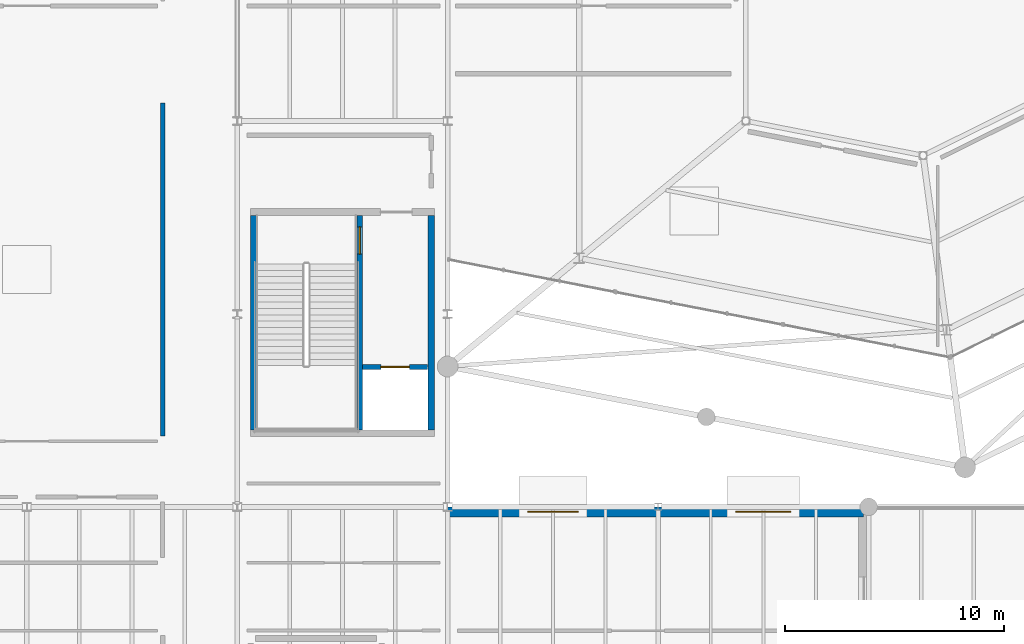
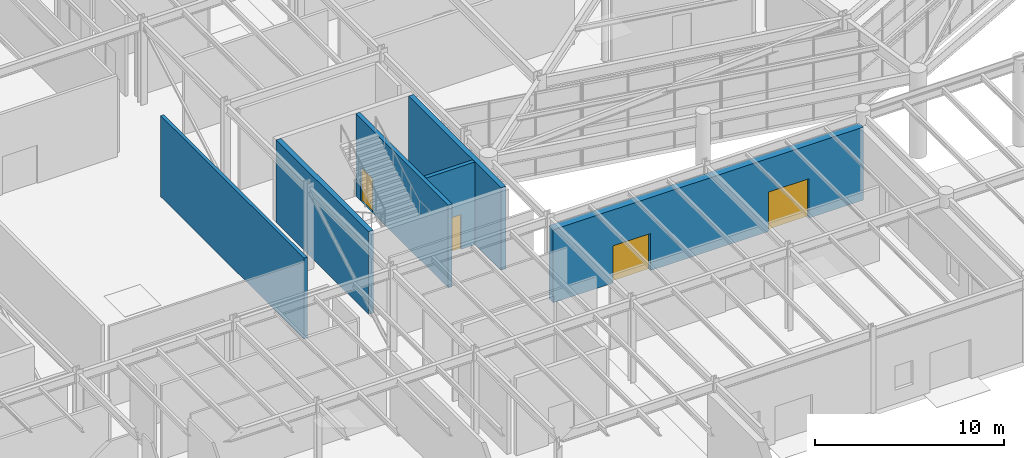
# One storey, part 48 of 70: 6 walls, 4 doors, 4 openings.
"""IFC4 building model written with IfcOpenShell, lengths in metres."""

from ifc_helpers import new_model, si_unit, direction, frame, frame_2d, origin, place, context, subcontext, project, spatial, rectangle, extrude, material, layer, layer_set, type_object, element, fill, save


model = new_model("IFC4")

# Units and contexts
model_context = context("Model", 3, precision=1e-05, world=origin(), true_north=direction((0.0, 1.0)))
body_context = subcontext(model_context, "Body", "Model", "MODEL_VIEW")
ifc_project = project(units=[si_unit("LENGTHUNIT", "METRE"), si_unit("AREAUNIT", "SQUARE_METRE"), si_unit("VOLUMEUNIT", "CUBIC_METRE"), si_unit("PLANEANGLEUNIT", "RADIAN"), si_unit("MASSUNIT", "GRAM", prefix="KILO")], contexts=[model_context])

# Site, building, storey
site_placement = place(None, origin())
site = spatial("IfcSite", under=ifc_project, at=site_placement, CompositionType="ELEMENT")
building_placement = place(site_placement, origin())
building = spatial("IfcBuilding", under=site, at=building_placement, Name="Sarnbrook Museum", CompositionType="ELEMENT")
storey_placement = place(building_placement, origin())
storey = spatial("IfcBuildingStorey", under=building, at=storey_placement, Name="L00", CompositionType="ELEMENT", Elevation=0.0)

# Walls
ifc_material_1 = material(Name="Concrete N50 (AS 3600, f'c = 50 MPa)", Category="concrete")
ifc_layer_1 = layer(ifc_material_1, 0.300048828125)
ifc_layer_set_1 = layer_set([ifc_layer_1], Name="Concrete N50 (AS 3600, f'c = 50 MPa)")
wall_type_1 = type_object("IfcWallType", Name="CoreWall_CWRC", PredefinedType="SHEAR", material=ifc_layer_set_1)
for number, where, z_axis, x_axis, name in (
    (1, (118.449951171875, 60.31005859375, 0.0), (0.0, 0.0, 1.0), (0.0, 1.0, 0.0), "Core C1 Shear Wall E L00"),
    (2, (110.35009765625, 70.090087890625, 0.0), (0.0, 0.0, 1.0), (0.0, -1.0, 0.0), "Core C1 Shear Wall W L00"),
):
    element("IfcWall", number, at=place(storey_placement, frame(where, z_axis=z_axis, x_axis=x_axis)), inside=storey, type_object=wall_type_1, Name=name, PredefinedType="SHEAR", context=body_context, shape_type="SweptSolid", body=[
        extrude(rectangle(XDim=9.780029296875, YDim=0.300048828125, at=frame_2d((4.89013671875, 0.0))), origin(), (0.0, 0.0, 1.0), 5.344970703125),
    ])
ifc_material_2 = material(Name="Fire-Rated Acoustic Gypsum Plasterboard")
ifc_layer_2 = layer(ifc_material_2, 0.195068359375)
ifc_layer_set_2 = layer_set([ifc_layer_2], Name="Fire-Rated Acoustic Gypsum Plasterboard")
wall_type_2 = type_object("IfcWallType", Name="PartWall_P195", PredefinedType="PARTITIONING", material=ifc_layer_set_2)
wall_1_placement = place(storey_placement, frame((106.199951171875, 75.22998046875, 0.0), z_axis=(0.0, 0.0, 1.0), x_axis=(0.0, -1.0, 0.0)))
element("IfcWall", 3, at=wall_1_placement, inside=storey, type_object=wall_type_2, Name="Interior Partition Wall L00-0225", PredefinedType="PARTITIONING", context=body_context, shape_type="SweptSolid", body=[
    extrude(rectangle(XDim=15.199951171875, YDim=0.195068359375, at=frame_2d((7.60009765625, 0.0))), origin(), (0.0, 0.0, 1.0), 5.22998046875),
])

# Wall, opening, door
ifc_material_3 = material(Name="Concrete N40 (AS 3600, f'c = 40 MPa)", Category="concrete")
ifc_layer_3 = layer(ifc_material_3, 0.239990234375)
ifc_layer_set_3 = layer_set([ifc_layer_3], Name="Concrete N40 (AS 3600, f'c = 40 MPa)")
wall_type_3 = type_object("IfcWallType", Name="ShaftWall_SWRC", PredefinedType="SOLIDWALL", material=ifc_layer_set_3)
wall_2_placement = place(storey_placement, frame((115.18994140625, 60.31005859375, 0.0), z_axis=(0.0, 0.0, 1.0), x_axis=(0.0, 1.0, 0.0)))
wall_2 = element("IfcWall", 4, at=wall_2_placement, inside=storey, type_object=wall_type_3, Name="Stairwell ST1 Fire Shaft Wall L00", PredefinedType="SOLIDWALL", context=body_context, shape_type="SweptSolid", body=[
    extrude(rectangle(XDim=9.780029296875, YDim=0.239990234375, at=frame_2d((4.89013671875, 0.0))), origin(), (0.0, 0.0, 1.0), 5.344970703125),
])
opening_1_placement = place(wall_2_placement, frame((8.014892578125, 0.0, 0.0)))
opening_1 = element("IfcOpeningElement", 5, at=opening_1_placement, cuts=wall_2, Name="Opening D-ST-ST1-L00", PredefinedType="OPENING", context=body_context, shape_type="SweptSolid", body=[
    extrude(rectangle(XDim=1.25, YDim=2.199951171875, at=frame_2d((0.625, 1.10009765625))), frame((0.0, 0.1298828125, 0.0), z_axis=(0.0, -1.0, 0.0), x_axis=(1.0, 0.0, 0.0)), (0.0, 0.0, 1.0), 0.260009765625),
])
ifc_material_4 = material(Name="Tasmanian Oak Acoustic Timber", Category="wood")
door_type_1 = type_object("IfcDoorType", Name="FireDoor_FD120", OperationType="NOTDEFINED", PredefinedType="DOOR", material=ifc_material_4)
door_1_placement = place(opening_1_placement, frame((1.25, 0.0, 0.0), z_axis=(0.0, 0.0, 1.0), x_axis=(-1.0, 0.0, 0.0)))
door_1 = element("IfcDoor", 6, at=door_1_placement, inside=storey, type_object=door_type_1, Name="Exit Stair ST1 Fire Door L00", OperationType="SINGLE_SWING_LEFT", OverallHeight=2.199951171875, OverallWidth=1.25, PredefinedType="DOOR", context=body_context, shape_type="SweptSolid", body=[
    extrude(rectangle(XDim=1.25, YDim=2.199951171875, at=frame_2d((0.625, 1.10009765625))), frame((0.0, 0.02490234375, 0.0), z_axis=(0.0, -1.0, 0.0), x_axis=(1.0, 0.0, 0.0)), (0.0, 0.0, 1.0), 0.050048828125),
])
fill(opening_1, door_1)

wall_3_placement = place(storey_placement, frame((115.320068359375, 63.179931640625, 0.0), z_axis=(0.0, 0.0, 1.0), x_axis=(1.0, 0.0, 0.0)))
wall_3 = element("IfcWall", 7, at=wall_3_placement, inside=storey, type_object=wall_type_3, Name="Lift EL1 Shaft Front Wall L00", PredefinedType="SOLIDWALL", context=body_context, shape_type="SweptSolid", body=[
    extrude(rectangle(XDim=2.969970703125, YDim=0.239990234375, at=frame_2d((1.48486328125, 0.0))), origin(), (0.0, 0.0, 1.0), 5.344970703125),
])
opening_2_placement = place(wall_3_placement, frame((0.8349609375, 0.0, 0.0)))
opening_2 = element("IfcOpeningElement", 8, at=opening_2_placement, cuts=wall_3, Name="Opening LD-EL1-L00", PredefinedType="OPENING", context=body_context, shape_type="SweptSolid", body=[
    extrude(rectangle(XDim=1.300048828125, YDim=2.25, at=frame_2d((0.64990234375, 1.125))), frame((0.0, 0.1298828125, 0.0), z_axis=(0.0, -1.0, 0.0), x_axis=(1.0, 0.0, 0.0)), (0.0, 0.0, 1.0), 0.260009765625),
])
ifc_material_5 = material(Name="Brushed Stainless Steel Grade 316", Category="steel")
door_type_2 = type_object("IfcDoorType", Name="LiftDoor_FF130", OperationType="DOUBLE_DOOR_SLIDING", PredefinedType="DOOR", material=ifc_material_5)
door_2_placement = place(opening_2_placement, origin())
door_2 = element("IfcDoor", 9, at=door_2_placement, inside=storey, type_object=door_type_2, Name="Lift Landing Sliding Door LD-EL1-L00", OperationType="DOUBLE_DOOR_SLIDING", OverallHeight=2.25, OverallWidth=1.300048828125, PredefinedType="DOOR", context=body_context, shape_type="SweptSolid", body=[
    extrude(rectangle(XDim=1.300048828125, YDim=2.25, at=frame_2d((0.64990234375, 1.125))), frame((0.0, 0.02490234375, 0.0), z_axis=(0.0, -1.0, 0.0), x_axis=(1.0, 0.0, 0.0)), (0.0, 0.0, 1.0), 0.050048828125),
])
fill(opening_2, door_2)

# Wall, openings, doors
ifc_material_6 = material(Name="Barrabool Sandstone Ashlar Cladding", Category="masonry")
ifc_layer_4 = layer(ifc_material_6, 0.4599609375)
ifc_layer_set_4 = layer_set([ifc_layer_4], Name="Barrabool Sandstone Ashlar Cladding")
wall_type_4 = type_object("IfcWallType", Name="Wall_SandstoneExt460", PredefinedType="SOLIDWALL", material=ifc_layer_set_4)
wall_4_placement = place(storey_placement, frame((138.1640625, 56.570068359375, 0.0), z_axis=(0.0, 0.0, 1.0), x_axis=(-1.0, 0.0, 0.0)))
wall_4 = element("IfcWall", 10, at=wall_4_placement, inside=storey, type_object=wall_type_4, Name="Classical Sandstone Facade Wall L00-05", PredefinedType="SOLIDWALL", context=body_context, shape_type="SweptSolid", body=[
    extrude(rectangle(XDim=18.964111328125, YDim=0.4599609375, at=frame_2d((9.48193359375, 0.0))), origin(), (0.0, 0.0, 1.0), 4.722900390625),
])
opening_3_placement = place(wall_4_placement, frame((13.013916015625, 0.0, 0.0)))
opening_3 = element("IfcOpeningElement", 11, at=opening_3_placement, cuts=wall_4, Name="Opening ED15", PredefinedType="OPENING", context=body_context, shape_type="SweptSolid", body=[
    extrude(rectangle(XDim=2.300048828125, YDim=2.39990234375, at=frame_2d((1.14990234375, 1.199951171875))), frame((0.0, 0.239990234375, 0.0), z_axis=(0.0, -1.0, 0.0), x_axis=(1.0, 0.0, 0.0)), (0.0, 0.0, 1.0), 0.47998046875),
])
opening_4_placement = place(wall_4_placement, frame((3.31396484375, 0.0, 0.0)))
opening_4 = element("IfcOpeningElement", 12, at=opening_4_placement, cuts=wall_4, Name="Opening ED16", PredefinedType="OPENING", context=body_context, shape_type="SweptSolid", body=[
    extrude(rectangle(XDim=2.5, YDim=2.550048828125, at=frame_2d((1.25, 1.27490234375))), frame((0.0, 0.239990234375, 0.0), z_axis=(0.0, -1.0, 0.0), x_axis=(1.0, 0.0, 0.0)), (0.0, 0.0, 1.0), 0.47998046875),
])
door_type_3 = type_object("IfcDoorType", Name="DoorType_EDT3", OperationType="DOUBLE_DOOR_SINGLE_SWING", PredefinedType="DOOR", material=ifc_material_5)
door_3_placement = place(opening_3_placement, frame((2.300048828125, 0.0, 0.0), z_axis=(0.0, 0.0, 1.0), x_axis=(-1.0, 0.0, 0.0)))
door_3 = element("IfcDoor", 13, at=door_3_placement, inside=storey, type_object=door_type_3, Name="Forecourt Colonnade Pedestrian Exit Door ED15", OperationType="DOUBLE_DOOR_SINGLE_SWING", OverallHeight=2.39990234375, OverallWidth=2.300048828125, PredefinedType="DOOR", context=body_context, shape_type="SweptSolid", body=[
    extrude(rectangle(XDim=2.300048828125, YDim=2.39990234375, at=frame_2d((1.14990234375, 1.199951171875))), frame((0.0, 0.02490234375, 0.0), z_axis=(0.0, -1.0, 0.0), x_axis=(1.0, 0.0, 0.0)), (0.0, 0.0, 1.0), 0.050048828125),
])
fill(opening_3, door_3)
ifc_material_7 = material(Name="Thermally Broken Anodised Aluminium 6063-T6", Category="aluminium")
door_type_4 = type_object("IfcDoorType", Name="DoorType_EDT4", OperationType="DOUBLE_DOOR_SINGLE_SWING", PredefinedType="DOOR", material=ifc_material_7)
door_4_placement = place(opening_4_placement, frame((2.5, 0.0, 0.0), z_axis=(0.0, 0.0, 1.0), x_axis=(-1.0, 0.0, 0.0)))
door_4 = element("IfcDoor", 14, at=door_4_placement, inside=storey, type_object=door_type_4, Name="Forecourt Colonnade Pedestrian Exit Door ED16", OperationType="DOUBLE_DOOR_SINGLE_SWING", OverallHeight=2.550048828125, OverallWidth=2.5, PredefinedType="DOOR", context=body_context, shape_type="SweptSolid", body=[
    extrude(rectangle(XDim=2.5, YDim=2.550048828125, at=frame_2d((1.25, 1.27490234375))), frame((0.0, 0.02490234375, 0.0), z_axis=(0.0, -1.0, 0.0), x_axis=(1.0, 0.0, 0.0)), (0.0, 0.0, 1.0), 0.050048828125),
])
fill(opening_4, door_4)

save(model, "model.ifc")
